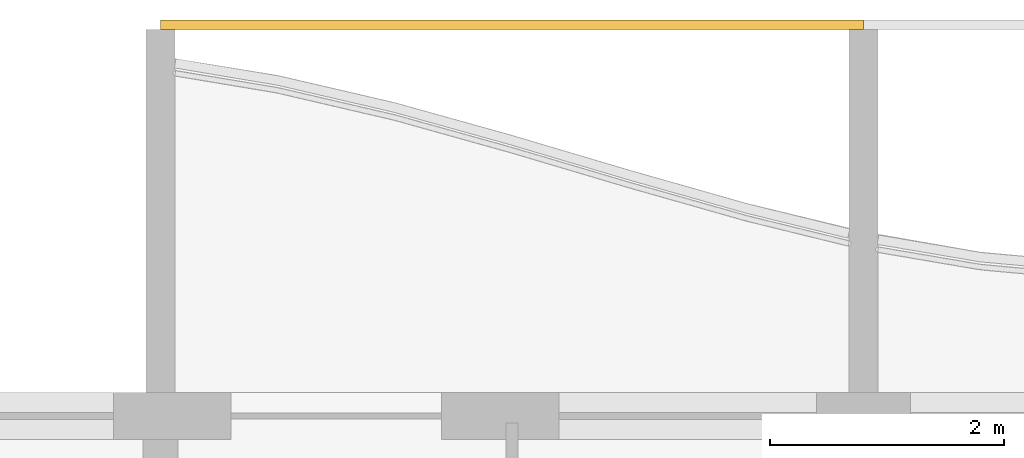
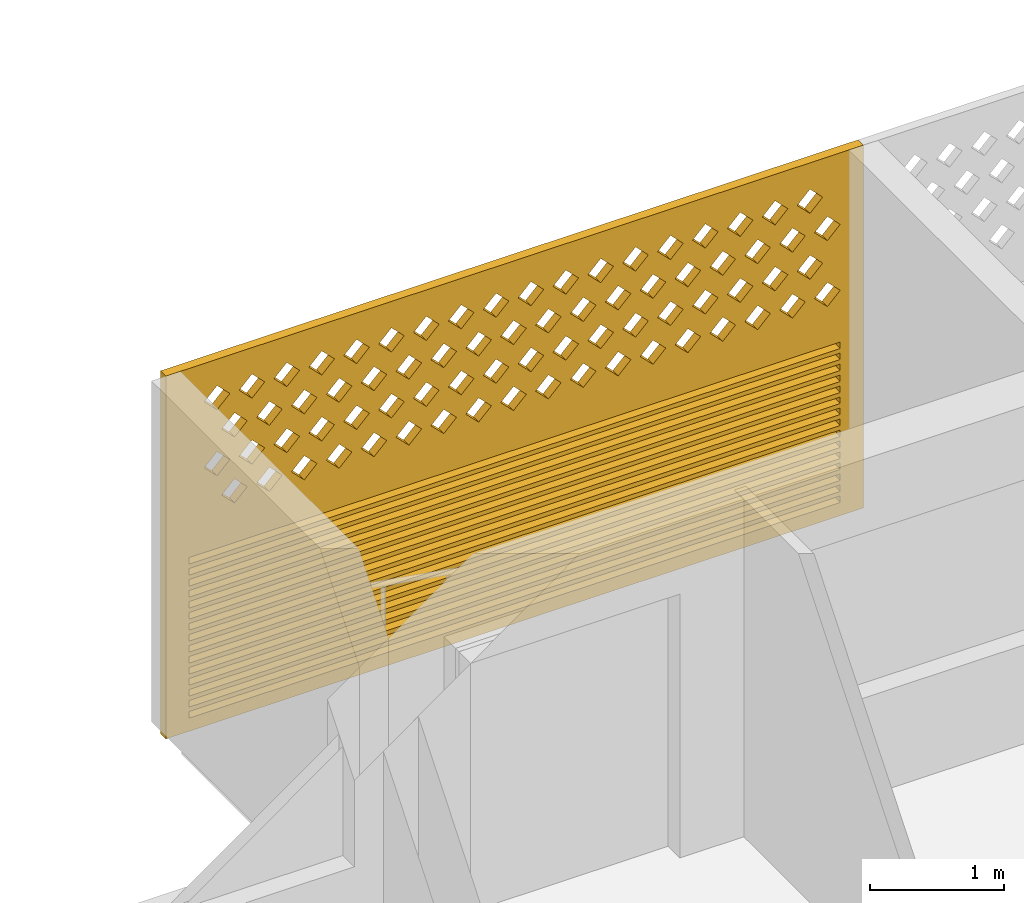
# One storey, part 21 of 33: 1 covering.
"""IFC4 building model written with IfcOpenShell, lengths in metres."""

from ifc_helpers import new_model, si_unit, direction, frame, origin, place, context, subcontext, project, spatial, polyline, outline, extrude, source, transform, mapped, material, material_profile, profile_set, type_object, element, save


model = new_model("IFC4")

# Units and contexts
model_context = context("Model", 3, precision=1e-05, world=origin(), true_north=direction((0.0, 1.0)))
body_context = subcontext(model_context, "Body", "Model", "MODEL_VIEW")
ifc_project = project(units=[si_unit("LENGTHUNIT", "METRE"), si_unit("AREAUNIT", "SQUARE_METRE"), si_unit("VOLUMEUNIT", "CUBIC_METRE"), si_unit("PLANEANGLEUNIT", "RADIAN"), si_unit("MASSUNIT", "GRAM", prefix="KILO")], contexts=[model_context])

# Site, building, storey
site_placement = place(None, origin())
site = spatial("IfcSite", under=ifc_project, at=site_placement, CompositionType="ELEMENT")
building_placement = place(site_placement, origin())
building = spatial("IfcBuilding", under=site, at=building_placement, Name="Poui Terraces", CompositionType="ELEMENT")
storey_placement = place(building_placement, frame((0.0, 0.0, 135.60009765625)))
storey = spatial("IfcBuildingStorey", under=building, at=storey_placement, Name="L37", CompositionType="ELEMENT", Elevation=135.60009765625)

# Covering
ifc_material = material(Name="Terracotta screen", Category="masonry")
ifc_material_profile = material_profile(ifc_material, outline(polyline([(-3.0, -1.64990234375), (3.0, -1.64990234375), (3.0, 1.64990234375), (-3.0, 1.64990234375), (-3.0, -1.64990234375)]), holes=[polyline([(-2.800048828125, 0.39990234375), (-2.68994140625, 0.2900390625), (-2.580078125, 0.39990234375), (-2.68994140625, 0.510009765625), (-2.800048828125, 0.39990234375)]), polyline([(-2.5, 0.39990234375), (-2.389892578125, 0.2900390625), (-2.280029296875, 0.39990234375), (-2.389892578125, 0.510009765625), (-2.5, 0.39990234375)]), polyline([(-2.199951171875, 0.39990234375), (-2.090087890625, 0.2900390625), (-1.97998046875, 0.39990234375), (-2.090087890625, 0.510009765625), (-2.199951171875, 0.39990234375)]), polyline([(-1.89990234375, 0.39990234375), (-1.7900390625, 0.2900390625), (-1.679931640625, 0.39990234375), (-1.7900390625, 0.510009765625), (-1.89990234375, 0.39990234375)]), polyline([(-1.60009765625, 0.39990234375), (-1.489990234375, 0.2900390625), (-1.3798828125, 0.39990234375), (-1.489990234375, 0.510009765625), (-1.60009765625, 0.39990234375)]), polyline([(-1.300048828125, 0.39990234375), (-1.18994140625, 0.2900390625), (-1.080078125, 0.39990234375), (-1.18994140625, 0.510009765625), (-1.300048828125, 0.39990234375)]), polyline([(-1.0, 0.39990234375), (-0.889892578125, 0.2900390625), (-0.780029296875, 0.39990234375), (-0.889892578125, 0.510009765625), (-1.0, 0.39990234375)]), polyline([(-0.699951171875, 0.39990234375), (-0.590087890625, 0.2900390625), (-0.47998046875, 0.39990234375), (-0.590087890625, 0.510009765625), (-0.699951171875, 0.39990234375)]), polyline([(-0.39990234375, 0.39990234375), (-0.2900390625, 0.2900390625), (-0.179931640625, 0.39990234375), (-0.2900390625, 0.510009765625), (-0.39990234375, 0.39990234375)]), polyline([(-0.10009765625, 0.39990234375), (0.010009765625, 0.2900390625), (0.1201171875, 0.39990234375), (0.010009765625, 0.510009765625), (-0.10009765625, 0.39990234375)]), polyline([(0.199951171875, 0.39990234375), (0.31005859375, 0.2900390625), (0.419921875, 0.39990234375), (0.31005859375, 0.510009765625), (0.199951171875, 0.39990234375)]), polyline([(0.5, 0.39990234375), (0.610107421875, 0.2900390625), (0.719970703125, 0.39990234375), (0.610107421875, 0.510009765625), (0.5, 0.39990234375)]), polyline([(0.800048828125, 0.39990234375), (0.909912109375, 0.2900390625), (1.02001953125, 0.39990234375), (0.909912109375, 0.510009765625), (0.800048828125, 0.39990234375)]), polyline([(1.10009765625, 0.39990234375), (1.2099609375, 0.2900390625), (1.320068359375, 0.39990234375), (1.2099609375, 0.510009765625), (1.10009765625, 0.39990234375)]), polyline([(1.39990234375, 0.39990234375), (1.510009765625, 0.2900390625), (1.6201171875, 0.39990234375), (1.510009765625, 0.510009765625), (1.39990234375, 0.39990234375)]), polyline([(1.699951171875, 0.39990234375), (1.81005859375, 0.2900390625), (1.919921875, 0.39990234375), (1.81005859375, 0.510009765625), (1.699951171875, 0.39990234375)]), polyline([(2.0, 0.39990234375), (2.110107421875, 0.2900390625), (2.219970703125, 0.39990234375), (2.110107421875, 0.510009765625), (2.0, 0.39990234375)]), polyline([(2.300048828125, 0.39990234375), (2.409912109375, 0.2900390625), (2.52001953125, 0.39990234375), (2.409912109375, 0.510009765625), (2.300048828125, 0.39990234375)]), polyline([(-2.64990234375, 0.699951171875), (-2.5400390625, 0.590087890625), (-2.429931640625, 0.699951171875), (-2.5400390625, 0.81005859375), (-2.64990234375, 0.699951171875)]), polyline([(-2.35009765625, 0.699951171875), (-2.239990234375, 0.590087890625), (-2.1298828125, 0.699951171875), (-2.239990234375, 0.81005859375), (-2.35009765625, 0.699951171875)]), polyline([(-2.050048828125, 0.699951171875), (-1.93994140625, 0.590087890625), (-1.830078125, 0.699951171875), (-1.93994140625, 0.81005859375), (-2.050048828125, 0.699951171875)]), polyline([(-1.75, 0.699951171875), (-1.639892578125, 0.590087890625), (-1.530029296875, 0.699951171875), (-1.639892578125, 0.81005859375), (-1.75, 0.699951171875)]), polyline([(-1.449951171875, 0.699951171875), (-1.340087890625, 0.590087890625), (-1.22998046875, 0.699951171875), (-1.340087890625, 0.81005859375), (-1.449951171875, 0.699951171875)]), polyline([(-1.14990234375, 0.699951171875), (-1.0400390625, 0.590087890625), (-0.929931640625, 0.699951171875), (-1.0400390625, 0.81005859375), (-1.14990234375, 0.699951171875)]), polyline([(-0.85009765625, 0.699951171875), (-0.739990234375, 0.590087890625), (-0.6298828125, 0.699951171875), (-0.739990234375, 0.81005859375), (-0.85009765625, 0.699951171875)]), polyline([(-0.550048828125, 0.699951171875), (-0.43994140625, 0.590087890625), (-0.330078125, 0.699951171875), (-0.43994140625, 0.81005859375), (-0.550048828125, 0.699951171875)]), polyline([(-0.25, 0.699951171875), (-0.139892578125, 0.590087890625), (-0.030029296875, 0.699951171875), (-0.139892578125, 0.81005859375), (-0.25, 0.699951171875)]), polyline([(0.050048828125, 0.699951171875), (0.159912109375, 0.590087890625), (0.27001953125, 0.699951171875), (0.159912109375, 0.81005859375), (0.050048828125, 0.699951171875)]), polyline([(0.35009765625, 0.699951171875), (0.4599609375, 0.590087890625), (0.570068359375, 0.699951171875), (0.4599609375, 0.81005859375), (0.35009765625, 0.699951171875)]), polyline([(0.64990234375, 0.699951171875), (0.760009765625, 0.590087890625), (0.8701171875, 0.699951171875), (0.760009765625, 0.81005859375), (0.64990234375, 0.699951171875)]), polyline([(0.949951171875, 0.699951171875), (1.06005859375, 0.590087890625), (1.169921875, 0.699951171875), (1.06005859375, 0.81005859375), (0.949951171875, 0.699951171875)]), polyline([(1.25, 0.699951171875), (1.360107421875, 0.590087890625), (1.469970703125, 0.699951171875), (1.360107421875, 0.81005859375), (1.25, 0.699951171875)]), polyline([(1.550048828125, 0.699951171875), (1.659912109375, 0.590087890625), (1.77001953125, 0.699951171875), (1.659912109375, 0.81005859375), (1.550048828125, 0.699951171875)]), polyline([(1.85009765625, 0.699951171875), (1.9599609375, 0.590087890625), (2.070068359375, 0.699951171875), (1.9599609375, 0.81005859375), (1.85009765625, 0.699951171875)]), polyline([(2.14990234375, 0.699951171875), (2.260009765625, 0.590087890625), (2.3701171875, 0.699951171875), (2.260009765625, 0.81005859375), (2.14990234375, 0.699951171875)]), polyline([(2.449951171875, 0.699951171875), (2.56005859375, 0.590087890625), (2.669921875, 0.699951171875), (2.56005859375, 0.81005859375), (2.449951171875, 0.699951171875)]), polyline([(-2.800048828125, 1.0), (-2.68994140625, 0.889892578125), (-2.580078125, 1.0), (-2.68994140625, 1.110107421875), (-2.800048828125, 1.0)]), polyline([(-2.5, 1.0), (-2.389892578125, 0.889892578125), (-2.280029296875, 1.0), (-2.389892578125, 1.110107421875), (-2.5, 1.0)]), polyline([(-2.199951171875, 1.0), (-2.090087890625, 0.889892578125), (-1.97998046875, 1.0), (-2.090087890625, 1.110107421875), (-2.199951171875, 1.0)]), polyline([(-1.89990234375, 1.0), (-1.7900390625, 0.889892578125), (-1.679931640625, 1.0), (-1.7900390625, 1.110107421875), (-1.89990234375, 1.0)]), polyline([(-1.60009765625, 1.0), (-1.489990234375, 0.889892578125), (-1.3798828125, 1.0), (-1.489990234375, 1.110107421875), (-1.60009765625, 1.0)]), polyline([(-1.300048828125, 1.0), (-1.18994140625, 0.889892578125), (-1.080078125, 1.0), (-1.18994140625, 1.110107421875), (-1.300048828125, 1.0)]), polyline([(-1.0, 1.0), (-0.889892578125, 0.889892578125), (-0.780029296875, 1.0), (-0.889892578125, 1.110107421875), (-1.0, 1.0)]), polyline([(-0.699951171875, 1.0), (-0.590087890625, 0.889892578125), (-0.47998046875, 1.0), (-0.590087890625, 1.110107421875), (-0.699951171875, 1.0)]), polyline([(-0.39990234375, 1.0), (-0.2900390625, 0.889892578125), (-0.179931640625, 1.0), (-0.2900390625, 1.110107421875), (-0.39990234375, 1.0)]), polyline([(-0.10009765625, 1.0), (0.010009765625, 0.889892578125), (0.1201171875, 1.0), (0.010009765625, 1.110107421875), (-0.10009765625, 1.0)]), polyline([(0.199951171875, 1.0), (0.31005859375, 0.889892578125), (0.419921875, 1.0), (0.31005859375, 1.110107421875), (0.199951171875, 1.0)]), polyline([(0.5, 1.0), (0.610107421875, 0.889892578125), (0.719970703125, 1.0), (0.610107421875, 1.110107421875), (0.5, 1.0)]), polyline([(0.800048828125, 1.0), (0.909912109375, 0.889892578125), (1.02001953125, 1.0), (0.909912109375, 1.110107421875), (0.800048828125, 1.0)]), polyline([(1.10009765625, 1.0), (1.2099609375, 0.889892578125), (1.320068359375, 1.0), (1.2099609375, 1.110107421875), (1.10009765625, 1.0)]), polyline([(1.39990234375, 1.0), (1.510009765625, 0.889892578125), (1.6201171875, 1.0), (1.510009765625, 1.110107421875), (1.39990234375, 1.0)]), polyline([(1.699951171875, 1.0), (1.81005859375, 0.889892578125), (1.919921875, 1.0), (1.81005859375, 1.110107421875), (1.699951171875, 1.0)]), polyline([(2.0, 1.0), (2.110107421875, 0.889892578125), (2.219970703125, 1.0), (2.110107421875, 1.110107421875), (2.0, 1.0)]), polyline([(2.300048828125, 1.0), (2.409912109375, 0.889892578125), (2.52001953125, 1.0), (2.409912109375, 1.110107421875), (2.300048828125, 1.0)]), polyline([(-2.64990234375, 1.300048828125), (-2.5400390625, 1.18994140625), (-2.429931640625, 1.300048828125), (-2.5400390625, 1.409912109375), (-2.64990234375, 1.300048828125)]), polyline([(-2.35009765625, 1.300048828125), (-2.239990234375, 1.18994140625), (-2.1298828125, 1.300048828125), (-2.239990234375, 1.409912109375), (-2.35009765625, 1.300048828125)]), polyline([(-2.050048828125, 1.300048828125), (-1.93994140625, 1.18994140625), (-1.830078125, 1.300048828125), (-1.93994140625, 1.409912109375), (-2.050048828125, 1.300048828125)]), polyline([(-1.75, 1.300048828125), (-1.639892578125, 1.18994140625), (-1.530029296875, 1.300048828125), (-1.639892578125, 1.409912109375), (-1.75, 1.300048828125)]), polyline([(-1.449951171875, 1.300048828125), (-1.340087890625, 1.18994140625), (-1.22998046875, 1.300048828125), (-1.340087890625, 1.409912109375), (-1.449951171875, 1.300048828125)]), polyline([(-1.14990234375, 1.300048828125), (-1.0400390625, 1.18994140625), (-0.929931640625, 1.300048828125), (-1.0400390625, 1.409912109375), (-1.14990234375, 1.300048828125)]), polyline([(-0.85009765625, 1.300048828125), (-0.739990234375, 1.18994140625), (-0.6298828125, 1.300048828125), (-0.739990234375, 1.409912109375), (-0.85009765625, 1.300048828125)]), polyline([(-0.550048828125, 1.300048828125), (-0.43994140625, 1.18994140625), (-0.330078125, 1.300048828125), (-0.43994140625, 1.409912109375), (-0.550048828125, 1.300048828125)]), polyline([(-0.25, 1.300048828125), (-0.139892578125, 1.18994140625), (-0.030029296875, 1.300048828125), (-0.139892578125, 1.409912109375), (-0.25, 1.300048828125)]), polyline([(0.050048828125, 1.300048828125), (0.159912109375, 1.18994140625), (0.27001953125, 1.300048828125), (0.159912109375, 1.409912109375), (0.050048828125, 1.300048828125)]), polyline([(0.35009765625, 1.300048828125), (0.4599609375, 1.18994140625), (0.570068359375, 1.300048828125), (0.4599609375, 1.409912109375), (0.35009765625, 1.300048828125)]), polyline([(0.64990234375, 1.300048828125), (0.760009765625, 1.18994140625), (0.8701171875, 1.300048828125), (0.760009765625, 1.409912109375), (0.64990234375, 1.300048828125)]), polyline([(0.949951171875, 1.300048828125), (1.06005859375, 1.18994140625), (1.169921875, 1.300048828125), (1.06005859375, 1.409912109375), (0.949951171875, 1.300048828125)]), polyline([(1.25, 1.300048828125), (1.360107421875, 1.18994140625), (1.469970703125, 1.300048828125), (1.360107421875, 1.409912109375), (1.25, 1.300048828125)]), polyline([(1.550048828125, 1.300048828125), (1.659912109375, 1.18994140625), (1.77001953125, 1.300048828125), (1.659912109375, 1.409912109375), (1.550048828125, 1.300048828125)]), polyline([(1.85009765625, 1.300048828125), (1.9599609375, 1.18994140625), (2.070068359375, 1.300048828125), (1.9599609375, 1.409912109375), (1.85009765625, 1.300048828125)]), polyline([(2.14990234375, 1.300048828125), (2.260009765625, 1.18994140625), (2.3701171875, 1.300048828125), (2.260009765625, 1.409912109375), (2.14990234375, 1.300048828125)]), polyline([(2.449951171875, 1.300048828125), (2.56005859375, 1.18994140625), (2.669921875, 1.300048828125), (2.56005859375, 1.409912109375), (2.449951171875, 1.300048828125)]), polyline([(-2.800048828125, -1.530029296875), (2.800048828125, -1.530029296875), (2.800048828125, -1.469970703125), (-2.800048828125, -1.469970703125), (-2.800048828125, -1.530029296875)]), polyline([(-2.800048828125, -1.429931640625), (2.800048828125, -1.429931640625), (2.800048828125, -1.3701171875), (-2.800048828125, -1.3701171875), (-2.800048828125, -1.429931640625)]), polyline([(-2.800048828125, -1.330078125), (2.800048828125, -1.330078125), (2.800048828125, -1.27001953125), (-2.800048828125, -1.27001953125), (-2.800048828125, -1.330078125)]), polyline([(-2.800048828125, -1.22998046875), (2.800048828125, -1.22998046875), (2.800048828125, -1.169921875), (-2.800048828125, -1.169921875), (-2.800048828125, -1.22998046875)]), polyline([(-2.800048828125, -1.1298828125), (2.800048828125, -1.1298828125), (2.800048828125, -1.070068359375), (-2.800048828125, -1.070068359375), (-2.800048828125, -1.1298828125)]), polyline([(-2.800048828125, -1.030029296875), (2.800048828125, -1.030029296875), (2.800048828125, -0.969970703125), (-2.800048828125, -0.969970703125), (-2.800048828125, -1.030029296875)]), polyline([(-2.800048828125, -0.929931640625), (2.800048828125, -0.929931640625), (2.800048828125, -0.8701171875), (-2.800048828125, -0.8701171875), (-2.800048828125, -0.929931640625)]), polyline([(-2.800048828125, -0.830078125), (2.800048828125, -0.830078125), (2.800048828125, -0.77001953125), (-2.800048828125, -0.77001953125), (-2.800048828125, -0.830078125)]), polyline([(-2.800048828125, -0.72998046875), (2.800048828125, -0.72998046875), (2.800048828125, -0.669921875), (-2.800048828125, -0.669921875), (-2.800048828125, -0.72998046875)]), polyline([(-2.800048828125, -0.6298828125), (2.800048828125, -0.6298828125), (2.800048828125, -0.570068359375), (-2.800048828125, -0.570068359375), (-2.800048828125, -0.6298828125)]), polyline([(-2.800048828125, -0.530029296875), (2.800048828125, -0.530029296875), (2.800048828125, -0.469970703125), (-2.800048828125, -0.469970703125), (-2.800048828125, -0.530029296875)]), polyline([(-2.800048828125, -0.429931640625), (2.800048828125, -0.429931640625), (2.800048828125, -0.3701171875), (-2.800048828125, -0.3701171875), (-2.800048828125, -0.429931640625)]), polyline([(-2.800048828125, -0.330078125), (2.800048828125, -0.330078125), (2.800048828125, -0.27001953125), (-2.800048828125, -0.27001953125), (-2.800048828125, -0.330078125)]), polyline([(-2.800048828125, -0.22998046875), (2.800048828125, -0.22998046875), (2.800048828125, -0.169921875), (-2.800048828125, -0.169921875), (-2.800048828125, -0.22998046875)]), polyline([(-2.800048828125, -0.1298828125), (2.800048828125, -0.1298828125), (2.800048828125, -0.070068359375), (-2.800048828125, -0.070068359375), (-2.800048828125, -0.1298828125)])]), Name="TERRACOTTA SCREEN AND JALOUSIE LOUVRE 6000X3300")
ifc_profile_set = profile_set([ifc_material_profile], Name="Terracotta screen")
covering_type = type_object("IfcCoveringType", Name="TERRACOTTA SCREEN AND JALOUSIE LOUVRE 6000X3300", PredefinedType="CLADDING", material=ifc_profile_set)
shared_shape = source(origin(), body_context, "Body", "SweptSolid", [
    extrude(outline(polyline([(-3.0, -1.64990234375), (3.0, -1.64990234375), (3.0, 1.64990234375), (-3.0, 1.64990234375), (-3.0, -1.64990234375)]), holes=[polyline([(-2.800048828125, 0.39990234375), (-2.68994140625, 0.2900390625), (-2.580078125, 0.39990234375), (-2.68994140625, 0.510009765625), (-2.800048828125, 0.39990234375)]), polyline([(-2.5, 0.39990234375), (-2.389892578125, 0.2900390625), (-2.280029296875, 0.39990234375), (-2.389892578125, 0.510009765625), (-2.5, 0.39990234375)]), polyline([(-2.199951171875, 0.39990234375), (-2.090087890625, 0.2900390625), (-1.97998046875, 0.39990234375), (-2.090087890625, 0.510009765625), (-2.199951171875, 0.39990234375)]), polyline([(-1.89990234375, 0.39990234375), (-1.7900390625, 0.2900390625), (-1.679931640625, 0.39990234375), (-1.7900390625, 0.510009765625), (-1.89990234375, 0.39990234375)]), polyline([(-1.60009765625, 0.39990234375), (-1.489990234375, 0.2900390625), (-1.3798828125, 0.39990234375), (-1.489990234375, 0.510009765625), (-1.60009765625, 0.39990234375)]), polyline([(-1.300048828125, 0.39990234375), (-1.18994140625, 0.2900390625), (-1.080078125, 0.39990234375), (-1.18994140625, 0.510009765625), (-1.300048828125, 0.39990234375)]), polyline([(-1.0, 0.39990234375), (-0.889892578125, 0.2900390625), (-0.780029296875, 0.39990234375), (-0.889892578125, 0.510009765625), (-1.0, 0.39990234375)]), polyline([(-0.699951171875, 0.39990234375), (-0.590087890625, 0.2900390625), (-0.47998046875, 0.39990234375), (-0.590087890625, 0.510009765625), (-0.699951171875, 0.39990234375)]), polyline([(-0.39990234375, 0.39990234375), (-0.2900390625, 0.2900390625), (-0.179931640625, 0.39990234375), (-0.2900390625, 0.510009765625), (-0.39990234375, 0.39990234375)]), polyline([(-0.10009765625, 0.39990234375), (0.010009765625, 0.2900390625), (0.1201171875, 0.39990234375), (0.010009765625, 0.510009765625), (-0.10009765625, 0.39990234375)]), polyline([(0.199951171875, 0.39990234375), (0.31005859375, 0.2900390625), (0.419921875, 0.39990234375), (0.31005859375, 0.510009765625), (0.199951171875, 0.39990234375)]), polyline([(0.5, 0.39990234375), (0.610107421875, 0.2900390625), (0.719970703125, 0.39990234375), (0.610107421875, 0.510009765625), (0.5, 0.39990234375)]), polyline([(0.800048828125, 0.39990234375), (0.909912109375, 0.2900390625), (1.02001953125, 0.39990234375), (0.909912109375, 0.510009765625), (0.800048828125, 0.39990234375)]), polyline([(1.10009765625, 0.39990234375), (1.2099609375, 0.2900390625), (1.320068359375, 0.39990234375), (1.2099609375, 0.510009765625), (1.10009765625, 0.39990234375)]), polyline([(1.39990234375, 0.39990234375), (1.510009765625, 0.2900390625), (1.6201171875, 0.39990234375), (1.510009765625, 0.510009765625), (1.39990234375, 0.39990234375)]), polyline([(1.699951171875, 0.39990234375), (1.81005859375, 0.2900390625), (1.919921875, 0.39990234375), (1.81005859375, 0.510009765625), (1.699951171875, 0.39990234375)]), polyline([(2.0, 0.39990234375), (2.110107421875, 0.2900390625), (2.219970703125, 0.39990234375), (2.110107421875, 0.510009765625), (2.0, 0.39990234375)]), polyline([(2.300048828125, 0.39990234375), (2.409912109375, 0.2900390625), (2.52001953125, 0.39990234375), (2.409912109375, 0.510009765625), (2.300048828125, 0.39990234375)]), polyline([(-2.64990234375, 0.699951171875), (-2.5400390625, 0.590087890625), (-2.429931640625, 0.699951171875), (-2.5400390625, 0.81005859375), (-2.64990234375, 0.699951171875)]), polyline([(-2.35009765625, 0.699951171875), (-2.239990234375, 0.590087890625), (-2.1298828125, 0.699951171875), (-2.239990234375, 0.81005859375), (-2.35009765625, 0.699951171875)]), polyline([(-2.050048828125, 0.699951171875), (-1.93994140625, 0.590087890625), (-1.830078125, 0.699951171875), (-1.93994140625, 0.81005859375), (-2.050048828125, 0.699951171875)]), polyline([(-1.75, 0.699951171875), (-1.639892578125, 0.590087890625), (-1.530029296875, 0.699951171875), (-1.639892578125, 0.81005859375), (-1.75, 0.699951171875)]), polyline([(-1.449951171875, 0.699951171875), (-1.340087890625, 0.590087890625), (-1.22998046875, 0.699951171875), (-1.340087890625, 0.81005859375), (-1.449951171875, 0.699951171875)]), polyline([(-1.14990234375, 0.699951171875), (-1.0400390625, 0.590087890625), (-0.929931640625, 0.699951171875), (-1.0400390625, 0.81005859375), (-1.14990234375, 0.699951171875)]), polyline([(-0.85009765625, 0.699951171875), (-0.739990234375, 0.590087890625), (-0.6298828125, 0.699951171875), (-0.739990234375, 0.81005859375), (-0.85009765625, 0.699951171875)]), polyline([(-0.550048828125, 0.699951171875), (-0.43994140625, 0.590087890625), (-0.330078125, 0.699951171875), (-0.43994140625, 0.81005859375), (-0.550048828125, 0.699951171875)]), polyline([(-0.25, 0.699951171875), (-0.139892578125, 0.590087890625), (-0.030029296875, 0.699951171875), (-0.139892578125, 0.81005859375), (-0.25, 0.699951171875)]), polyline([(0.050048828125, 0.699951171875), (0.159912109375, 0.590087890625), (0.27001953125, 0.699951171875), (0.159912109375, 0.81005859375), (0.050048828125, 0.699951171875)]), polyline([(0.35009765625, 0.699951171875), (0.4599609375, 0.590087890625), (0.570068359375, 0.699951171875), (0.4599609375, 0.81005859375), (0.35009765625, 0.699951171875)]), polyline([(0.64990234375, 0.699951171875), (0.760009765625, 0.590087890625), (0.8701171875, 0.699951171875), (0.760009765625, 0.81005859375), (0.64990234375, 0.699951171875)]), polyline([(0.949951171875, 0.699951171875), (1.06005859375, 0.590087890625), (1.169921875, 0.699951171875), (1.06005859375, 0.81005859375), (0.949951171875, 0.699951171875)]), polyline([(1.25, 0.699951171875), (1.360107421875, 0.590087890625), (1.469970703125, 0.699951171875), (1.360107421875, 0.81005859375), (1.25, 0.699951171875)]), polyline([(1.550048828125, 0.699951171875), (1.659912109375, 0.590087890625), (1.77001953125, 0.699951171875), (1.659912109375, 0.81005859375), (1.550048828125, 0.699951171875)]), polyline([(1.85009765625, 0.699951171875), (1.9599609375, 0.590087890625), (2.070068359375, 0.699951171875), (1.9599609375, 0.81005859375), (1.85009765625, 0.699951171875)]), polyline([(2.14990234375, 0.699951171875), (2.260009765625, 0.590087890625), (2.3701171875, 0.699951171875), (2.260009765625, 0.81005859375), (2.14990234375, 0.699951171875)]), polyline([(2.449951171875, 0.699951171875), (2.56005859375, 0.590087890625), (2.669921875, 0.699951171875), (2.56005859375, 0.81005859375), (2.449951171875, 0.699951171875)]), polyline([(-2.800048828125, 1.0), (-2.68994140625, 0.889892578125), (-2.580078125, 1.0), (-2.68994140625, 1.110107421875), (-2.800048828125, 1.0)]), polyline([(-2.5, 1.0), (-2.389892578125, 0.889892578125), (-2.280029296875, 1.0), (-2.389892578125, 1.110107421875), (-2.5, 1.0)]), polyline([(-2.199951171875, 1.0), (-2.090087890625, 0.889892578125), (-1.97998046875, 1.0), (-2.090087890625, 1.110107421875), (-2.199951171875, 1.0)]), polyline([(-1.89990234375, 1.0), (-1.7900390625, 0.889892578125), (-1.679931640625, 1.0), (-1.7900390625, 1.110107421875), (-1.89990234375, 1.0)]), polyline([(-1.60009765625, 1.0), (-1.489990234375, 0.889892578125), (-1.3798828125, 1.0), (-1.489990234375, 1.110107421875), (-1.60009765625, 1.0)]), polyline([(-1.300048828125, 1.0), (-1.18994140625, 0.889892578125), (-1.080078125, 1.0), (-1.18994140625, 1.110107421875), (-1.300048828125, 1.0)]), polyline([(-1.0, 1.0), (-0.889892578125, 0.889892578125), (-0.780029296875, 1.0), (-0.889892578125, 1.110107421875), (-1.0, 1.0)]), polyline([(-0.699951171875, 1.0), (-0.590087890625, 0.889892578125), (-0.47998046875, 1.0), (-0.590087890625, 1.110107421875), (-0.699951171875, 1.0)]), polyline([(-0.39990234375, 1.0), (-0.2900390625, 0.889892578125), (-0.179931640625, 1.0), (-0.2900390625, 1.110107421875), (-0.39990234375, 1.0)]), polyline([(-0.10009765625, 1.0), (0.010009765625, 0.889892578125), (0.1201171875, 1.0), (0.010009765625, 1.110107421875), (-0.10009765625, 1.0)]), polyline([(0.199951171875, 1.0), (0.31005859375, 0.889892578125), (0.419921875, 1.0), (0.31005859375, 1.110107421875), (0.199951171875, 1.0)]), polyline([(0.5, 1.0), (0.610107421875, 0.889892578125), (0.719970703125, 1.0), (0.610107421875, 1.110107421875), (0.5, 1.0)]), polyline([(0.800048828125, 1.0), (0.909912109375, 0.889892578125), (1.02001953125, 1.0), (0.909912109375, 1.110107421875), (0.800048828125, 1.0)]), polyline([(1.10009765625, 1.0), (1.2099609375, 0.889892578125), (1.320068359375, 1.0), (1.2099609375, 1.110107421875), (1.10009765625, 1.0)]), polyline([(1.39990234375, 1.0), (1.510009765625, 0.889892578125), (1.6201171875, 1.0), (1.510009765625, 1.110107421875), (1.39990234375, 1.0)]), polyline([(1.699951171875, 1.0), (1.81005859375, 0.889892578125), (1.919921875, 1.0), (1.81005859375, 1.110107421875), (1.699951171875, 1.0)]), polyline([(2.0, 1.0), (2.110107421875, 0.889892578125), (2.219970703125, 1.0), (2.110107421875, 1.110107421875), (2.0, 1.0)]), polyline([(2.300048828125, 1.0), (2.409912109375, 0.889892578125), (2.52001953125, 1.0), (2.409912109375, 1.110107421875), (2.300048828125, 1.0)]), polyline([(-2.64990234375, 1.300048828125), (-2.5400390625, 1.18994140625), (-2.429931640625, 1.300048828125), (-2.5400390625, 1.409912109375), (-2.64990234375, 1.300048828125)]), polyline([(-2.35009765625, 1.300048828125), (-2.239990234375, 1.18994140625), (-2.1298828125, 1.300048828125), (-2.239990234375, 1.409912109375), (-2.35009765625, 1.300048828125)]), polyline([(-2.050048828125, 1.300048828125), (-1.93994140625, 1.18994140625), (-1.830078125, 1.300048828125), (-1.93994140625, 1.409912109375), (-2.050048828125, 1.300048828125)]), polyline([(-1.75, 1.300048828125), (-1.639892578125, 1.18994140625), (-1.530029296875, 1.300048828125), (-1.639892578125, 1.409912109375), (-1.75, 1.300048828125)]), polyline([(-1.449951171875, 1.300048828125), (-1.340087890625, 1.18994140625), (-1.22998046875, 1.300048828125), (-1.340087890625, 1.409912109375), (-1.449951171875, 1.300048828125)]), polyline([(-1.14990234375, 1.300048828125), (-1.0400390625, 1.18994140625), (-0.929931640625, 1.300048828125), (-1.0400390625, 1.409912109375), (-1.14990234375, 1.300048828125)]), polyline([(-0.85009765625, 1.300048828125), (-0.739990234375, 1.18994140625), (-0.6298828125, 1.300048828125), (-0.739990234375, 1.409912109375), (-0.85009765625, 1.300048828125)]), polyline([(-0.550048828125, 1.300048828125), (-0.43994140625, 1.18994140625), (-0.330078125, 1.300048828125), (-0.43994140625, 1.409912109375), (-0.550048828125, 1.300048828125)]), polyline([(-0.25, 1.300048828125), (-0.139892578125, 1.18994140625), (-0.030029296875, 1.300048828125), (-0.139892578125, 1.409912109375), (-0.25, 1.300048828125)]), polyline([(0.050048828125, 1.300048828125), (0.159912109375, 1.18994140625), (0.27001953125, 1.300048828125), (0.159912109375, 1.409912109375), (0.050048828125, 1.300048828125)]), polyline([(0.35009765625, 1.300048828125), (0.4599609375, 1.18994140625), (0.570068359375, 1.300048828125), (0.4599609375, 1.409912109375), (0.35009765625, 1.300048828125)]), polyline([(0.64990234375, 1.300048828125), (0.760009765625, 1.18994140625), (0.8701171875, 1.300048828125), (0.760009765625, 1.409912109375), (0.64990234375, 1.300048828125)]), polyline([(0.949951171875, 1.300048828125), (1.06005859375, 1.18994140625), (1.169921875, 1.300048828125), (1.06005859375, 1.409912109375), (0.949951171875, 1.300048828125)]), polyline([(1.25, 1.300048828125), (1.360107421875, 1.18994140625), (1.469970703125, 1.300048828125), (1.360107421875, 1.409912109375), (1.25, 1.300048828125)]), polyline([(1.550048828125, 1.300048828125), (1.659912109375, 1.18994140625), (1.77001953125, 1.300048828125), (1.659912109375, 1.409912109375), (1.550048828125, 1.300048828125)]), polyline([(1.85009765625, 1.300048828125), (1.9599609375, 1.18994140625), (2.070068359375, 1.300048828125), (1.9599609375, 1.409912109375), (1.85009765625, 1.300048828125)]), polyline([(2.14990234375, 1.300048828125), (2.260009765625, 1.18994140625), (2.3701171875, 1.300048828125), (2.260009765625, 1.409912109375), (2.14990234375, 1.300048828125)]), polyline([(2.449951171875, 1.300048828125), (2.56005859375, 1.18994140625), (2.669921875, 1.300048828125), (2.56005859375, 1.409912109375), (2.449951171875, 1.300048828125)]), polyline([(-2.800048828125, -1.530029296875), (2.800048828125, -1.530029296875), (2.800048828125, -1.469970703125), (-2.800048828125, -1.469970703125), (-2.800048828125, -1.530029296875)]), polyline([(-2.800048828125, -1.429931640625), (2.800048828125, -1.429931640625), (2.800048828125, -1.3701171875), (-2.800048828125, -1.3701171875), (-2.800048828125, -1.429931640625)]), polyline([(-2.800048828125, -1.330078125), (2.800048828125, -1.330078125), (2.800048828125, -1.27001953125), (-2.800048828125, -1.27001953125), (-2.800048828125, -1.330078125)]), polyline([(-2.800048828125, -1.22998046875), (2.800048828125, -1.22998046875), (2.800048828125, -1.169921875), (-2.800048828125, -1.169921875), (-2.800048828125, -1.22998046875)]), polyline([(-2.800048828125, -1.1298828125), (2.800048828125, -1.1298828125), (2.800048828125, -1.070068359375), (-2.800048828125, -1.070068359375), (-2.800048828125, -1.1298828125)]), polyline([(-2.800048828125, -1.030029296875), (2.800048828125, -1.030029296875), (2.800048828125, -0.969970703125), (-2.800048828125, -0.969970703125), (-2.800048828125, -1.030029296875)]), polyline([(-2.800048828125, -0.929931640625), (2.800048828125, -0.929931640625), (2.800048828125, -0.8701171875), (-2.800048828125, -0.8701171875), (-2.800048828125, -0.929931640625)]), polyline([(-2.800048828125, -0.830078125), (2.800048828125, -0.830078125), (2.800048828125, -0.77001953125), (-2.800048828125, -0.77001953125), (-2.800048828125, -0.830078125)]), polyline([(-2.800048828125, -0.72998046875), (2.800048828125, -0.72998046875), (2.800048828125, -0.669921875), (-2.800048828125, -0.669921875), (-2.800048828125, -0.72998046875)]), polyline([(-2.800048828125, -0.6298828125), (2.800048828125, -0.6298828125), (2.800048828125, -0.570068359375), (-2.800048828125, -0.570068359375), (-2.800048828125, -0.6298828125)]), polyline([(-2.800048828125, -0.530029296875), (2.800048828125, -0.530029296875), (2.800048828125, -0.469970703125), (-2.800048828125, -0.469970703125), (-2.800048828125, -0.530029296875)]), polyline([(-2.800048828125, -0.429931640625), (2.800048828125, -0.429931640625), (2.800048828125, -0.3701171875), (-2.800048828125, -0.3701171875), (-2.800048828125, -0.429931640625)]), polyline([(-2.800048828125, -0.330078125), (2.800048828125, -0.330078125), (2.800048828125, -0.27001953125), (-2.800048828125, -0.27001953125), (-2.800048828125, -0.330078125)]), polyline([(-2.800048828125, -0.22998046875), (2.800048828125, -0.22998046875), (2.800048828125, -0.169921875), (-2.800048828125, -0.169921875), (-2.800048828125, -0.22998046875)]), polyline([(-2.800048828125, -0.1298828125), (2.800048828125, -0.1298828125), (2.800048828125, -0.070068359375), (-2.800048828125, -0.070068359375), (-2.800048828125, -0.1298828125)])]), origin(), (0.0, 0.0, 1.0), 0.080078125),
])
covering_placement = place(storey_placement, frame((33.0, 45.699951171875, 1.449951171875), z_axis=(0.0, 1.0, 0.0), x_axis=(-1.0, 0.0, 0.0)))
element("IfcCovering", 1, at=covering_placement, inside=storey, type_object=covering_type, Name="SOLAR SCREEN AND JALOUSIE LOUVRE", PredefinedType="CLADDING", context=body_context, shape_type="MappedRepresentation", body=[
    mapped(shared_shape, transform((0.0, 0.0, 0.0))),
])

save(model, "model.ifc")
